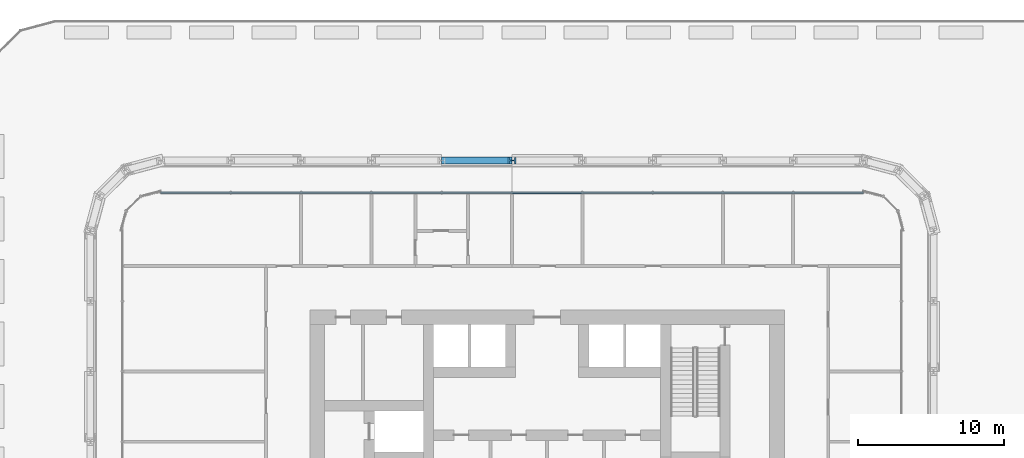
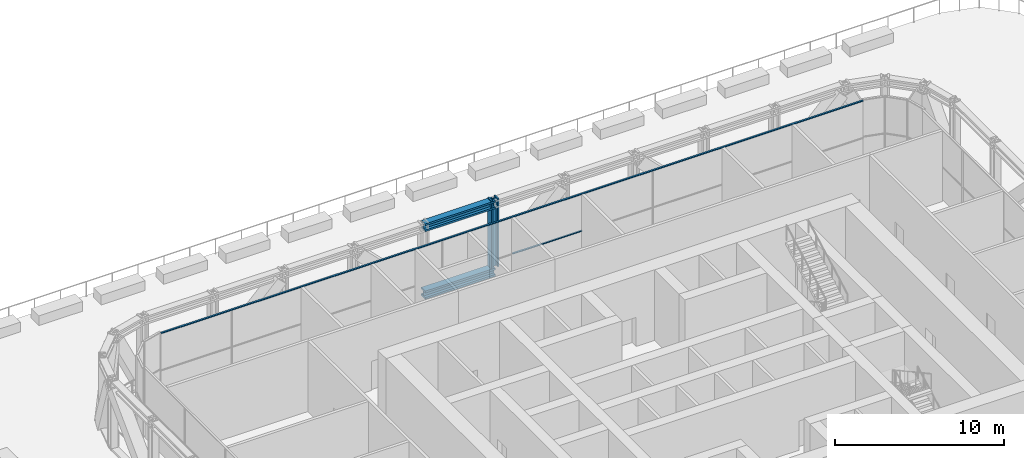
# One storey, part 9 of 22: 5 members, 1 element without a shape of its own.
"""IFC4 building model written with IfcOpenShell, lengths in metres."""

from ifc_helpers import new_model, si_unit, direction, frame, origin, origin_2d, place, context, subcontext, project, spatial, rectangle, i_section, extrude, material, layer, layer_set, material_profile, profile_set, type_object, element, aggregate, save


model = new_model("IFC4")

# Units and contexts
model_context = context("Model", 3, precision=1e-05, world=origin(), true_north=direction((0.0, 1.0)))
body_context = subcontext(model_context, "Body", "Model", "MODEL_VIEW")
ifc_project = project(units=[si_unit("LENGTHUNIT", "METRE"), si_unit("AREAUNIT", "SQUARE_METRE"), si_unit("VOLUMEUNIT", "CUBIC_METRE"), si_unit("PLANEANGLEUNIT", "RADIAN"), si_unit("MASSUNIT", "GRAM", prefix="KILO")], contexts=[model_context])

# Site, building, storey
site_placement = place(None, origin())
site = spatial("IfcSite", under=ifc_project, at=site_placement, CompositionType="ELEMENT")
building_placement = place(site_placement, origin())
building = spatial("IfcBuilding", under=site, at=building_placement, Name="Madar Terraces", CompositionType="ELEMENT")
storey_placement = place(building_placement, frame((0.0, 0.0, 24.0)))
storey = spatial("IfcBuildingStorey", under=building, at=storey_placement, Name="L05", CompositionType="ELEMENT", Elevation=24.0)

# Member
ifc_material_1 = material(Name="Steel ASTM A913 Grade 65", Category="steel")
ifc_material_profile_1 = material_profile(ifc_material_1, i_section(OverallWidth=0.4775390625, OverallDepth=0.599365234375, WebThickness=0.10009765625, FlangeThickness=0.139892578125, at=origin_2d()), Name="W14x873")
ifc_profile_set_1 = profile_set([ifc_material_profile_1], Name="Steel ASTM A913 Grade 65")
member_type_1 = type_object("IfcMemberType", Name="BC1 W14x873", PredefinedType="CHORD", material=ifc_profile_set_1)
member_1_placement = place(storey_placement, frame((28.800048828125, 48.0, -0.120361328125), z_axis=(-1.0, 0.0, 0.0), x_axis=(0.0, -1.0, 0.0)))
element("IfcMember", 1, at=member_1_placement, inside=storey, type_object=member_type_1, Name="Exoskeleton truss ring bottom chord BC1", PredefinedType="CHORD", context=body_context, shape_type="SweptSolid", body=[
    extrude(i_section(OverallWidth=0.4775390625, OverallDepth=0.599365234375, WebThickness=0.10009765625, FlangeThickness=0.139892578125, at=origin_2d()), origin(), (0.0, 0.0, 1.0), 4.800048828125),
])

# Curtain wall, members
ifc_material_2 = material(Name="Glass, ceramic frit dark grey, with black aluminium frame", Category="aluminium")
ifc_layer = layer(ifc_material_2, 0.199951171875)
ifc_layer_set = layer_set([ifc_layer], Name="Facade curtain wall, tall glazing")
curtain_wall_type = type_object("IfcCurtainWallType", Name="Facade curtain wall, tall glazing", PredefinedType="NOTDEFINED", material=ifc_layer_set)
curtain_wall_placement = place(storey_placement, origin())
curtain_wall = element("IfcCurtainWall", 2, at=curtain_wall_placement, inside=storey, type_object=curtain_wall_type, Name="Outer skin curtain wall north bay 1", PredefinedType="NOTDEFINED")
ifc_material_3 = material(Name="Aluminium, black anodised", Category="aluminium")
ifc_material_profile_2 = material_profile(ifc_material_3, rectangle(XDim=0.1201171875, YDim=0.06005859375, at=origin_2d()), Name="Facade transom 60x120")
ifc_profile_set_2 = profile_set([ifc_material_profile_2], Name="Aluminium, black anodised")
member_type_2 = type_object("IfcMemberType", Name="Facade transom 60x120", PredefinedType="USERDEFINED", material=ifc_profile_set_2)
member_2_placement = place(storey_placement, frame((52.800048828125, 45.800048828125, 5.070068359375), z_axis=(-1.0, 0.0, 0.0), x_axis=(0.0, -1.0, 0.0)))
member_2 = element("IfcMember", 3, at=member_2_placement, type_object=member_type_2, Name="Transom 1", ObjectType="TRANSOM", PredefinedType="USERDEFINED", context=body_context, shape_type="SweptSolid", body=[
    extrude(rectangle(XDim=0.1201171875, YDim=0.06005859375, at=origin_2d()), origin(), (0.0, 0.0, 1.0), 48.0),
])
member_3_placement = place(storey_placement, frame((33.570068359375, 45.800048828125, 2.39990234375), z_axis=(-1.0, 0.0, 0.0), x_axis=(0.0, -1.0, 0.0)))
member_3 = element("IfcMember", 4, at=member_3_placement, type_object=member_type_2, Name="Transom 6", ObjectType="TRANSOM", PredefinedType="USERDEFINED", context=body_context, shape_type="SweptSolid", body=[
    extrude(rectangle(XDim=0.1201171875, YDim=0.06005859375, at=origin_2d()), origin(), (0.0, 0.0, 1.0), 4.739990234375),
])
aggregate(curtain_wall, [member_2, member_3])

# Members
ifc_material_4 = material(Name="Steel ASTM A913 Grade 65", Category="steel")
ifc_material_profile_3 = material_profile(ifc_material_4, i_section(OverallWidth=0.45458984375, OverallDepth=0.56884765625, WebThickness=0.077880859375, FlangeThickness=0.124755859375, at=origin_2d()), Name="W14x730")
ifc_profile_set_3 = profile_set([ifc_material_profile_3], Name="Steel ASTM A913 Grade 65")
member_type_3 = type_object("IfcMemberType", Name="TC1 W14x730", PredefinedType="CHORD", material=ifc_profile_set_3)
member_4_placement = place(storey_placement, frame((28.800048828125, 48.0, 4.74560546875), z_axis=(-1.0, 0.0, 0.0), x_axis=(0.0, -1.0, 0.0)))
element("IfcMember", 5, at=member_4_placement, inside=storey, type_object=member_type_3, Name="Exoskeleton truss ring top chord TC1", PredefinedType="CHORD", context=body_context, shape_type="SweptSolid", body=[
    extrude(i_section(OverallWidth=0.45458984375, OverallDepth=0.56884765625, WebThickness=0.077880859375, FlangeThickness=0.124755859375, at=origin_2d()), origin(), (0.0, 0.0, 1.0), 4.800048828125),
])
ifc_material_5 = material(Name="Steel ASTM A913 Grade 65", Category="steel")
ifc_material_profile_4 = material_profile(ifc_material_5, i_section(OverallWidth=0.44189453125, OverallDepth=0.53076171875, WebThickness=0.06591796875, FlangeThickness=0.105712890625, at=origin_2d()), Name="W14x605")
ifc_profile_set_4 = profile_set([ifc_material_profile_4], Name="Steel ASTM A913 Grade 65")
member_type_4 = type_object("IfcMemberType", Name="TV1 W14x605", PredefinedType="POST", material=ifc_profile_set_4)
member_5_placement = place(storey_placement, frame((28.800048828125, 48.0, 0.179443359375), z_axis=(0.0, 0.0, 1.0), x_axis=(0.0, -1.0, 0.0)))
element("IfcMember", 6, at=member_5_placement, inside=storey, type_object=member_type_4, Name="Exoskeleton truss ring post TV1", PredefinedType="POST", context=body_context, shape_type="SweptSolid", body=[
    extrude(i_section(OverallWidth=0.44189453125, OverallDepth=0.53076171875, WebThickness=0.06591796875, FlangeThickness=0.105712890625, at=origin_2d()), origin(), (0.0, 0.0, 1.0), 4.920654296875),
])

save(model, "model.ifc")
